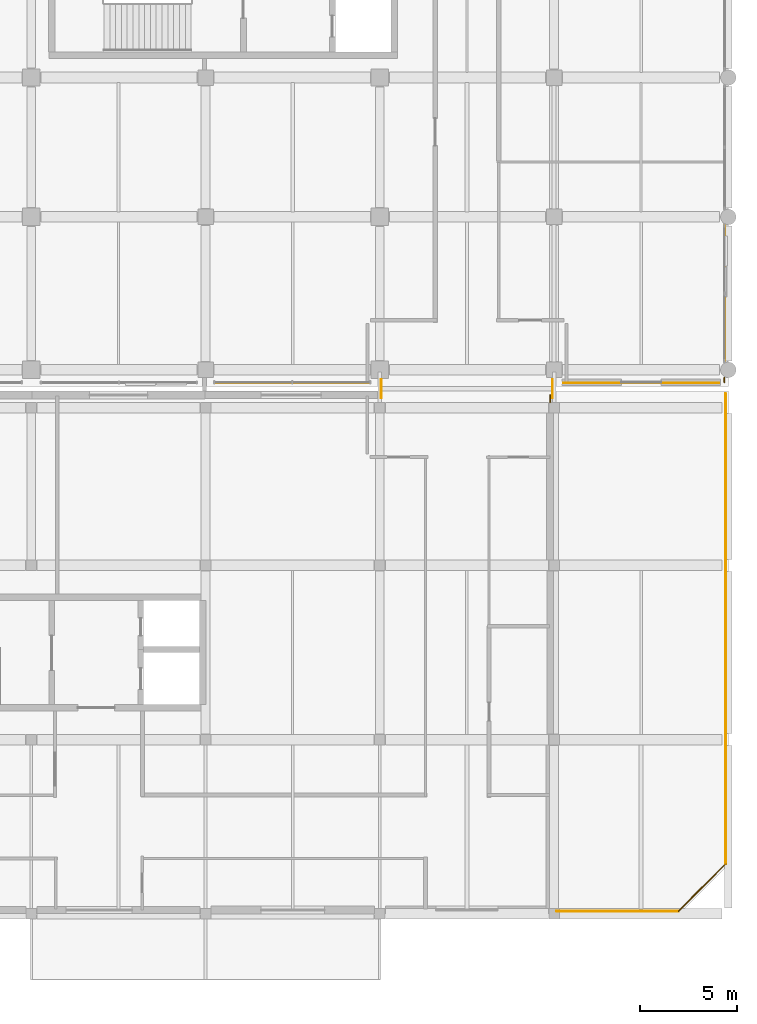
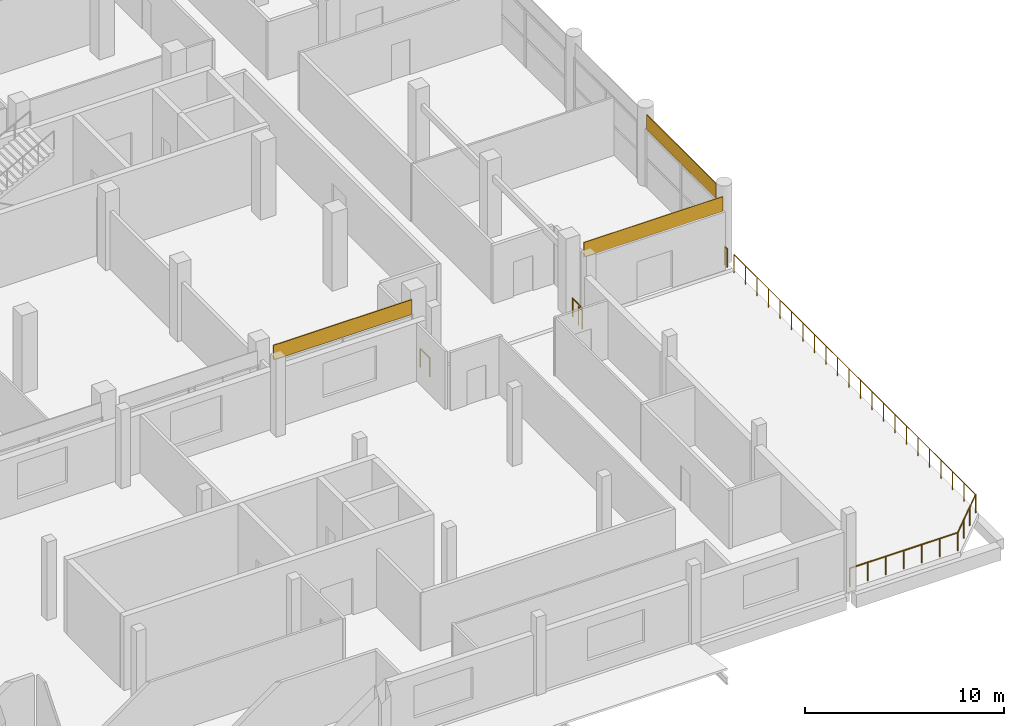
# One storey, part 102 of 111: 7 railings, 3 coverings.
"""IFC4 building model written with IfcOpenShell, lengths in metres."""

from ifc_helpers import new_model, si_unit, direction, frame, origin, origin_2d, place, context, subcontext, project, spatial, rectangle, circle, extrude, material, layer, layer_set, type_object, element, save


model = new_model("IFC4")

# Units and contexts
model_context = context("Model", 3, precision=1e-05, world=origin(), true_north=direction((0.0, 1.0)))
body_context = subcontext(model_context, "Body", "Model", "MODEL_VIEW")
ifc_project = project(units=[si_unit("LENGTHUNIT", "METRE"), si_unit("AREAUNIT", "SQUARE_METRE"), si_unit("VOLUMEUNIT", "CUBIC_METRE"), si_unit("PLANEANGLEUNIT", "RADIAN"), si_unit("MASSUNIT", "GRAM", prefix="KILO"), si_unit("THERMODYNAMICTEMPERATUREUNIT", "KELVIN"), si_unit("POWERUNIT", "WATT")], contexts=[model_context])

# Site, building, storey
site_placement = place(None, origin())
site = spatial("IfcSite", under=ifc_project, at=site_placement, CompositionType="ELEMENT")
building_placement = place(site_placement, origin())
building = spatial("IfcBuilding", under=site, at=building_placement, Name="Sindhuravela Promenade Stadium", CompositionType="ELEMENT")
storey_placement = place(building_placement, frame((0.0, 0.0, 9.60009765625)))
storey = spatial("IfcBuildingStorey", under=building, at=storey_placement, Name="L02", CompositionType="ELEMENT", Elevation=9.60009765625)

# Coverings
ifc_material_1 = material(Name="Polychrome trencadis ceramic mosaic", Category="masonry")
ifc_layer_1 = layer(ifc_material_1, 0.034912109375)
ifc_layer_set_1 = layer_set([ifc_layer_1], Name="Polychrome trencadis ceramic mosaic")
covering_type_1 = type_object("IfcCoveringType", Name="CV-TRENC-1", PredefinedType="CLADDING", material=ifc_layer_set_1)
covering_1_placement = place(storey_placement, frame((211.5, 36.429931640625, 3.5546875), z_axis=(0.0, 0.0, 1.0), x_axis=(-1.0, 0.0, 0.0)))
element("IfcCovering", 1, at=covering_1_placement, inside=storey, type_object=covering_type_1, Name="Trencadis ceramic mosaic spandrel frieze EAST L02-196", PredefinedType="CLADDING", context=body_context, shape_type="SweptSolid", body=[
    extrude(rectangle(XDim=8.070068359375, YDim=0.034912109375, at=origin_2d()), origin(), (0.0, 0.0, 1.0), 0.905029296875),
])
ifc_layer_2 = layer(ifc_material_1, 0.050048828125)
ifc_layer_set_2 = layer_set([ifc_layer_2], Name="Polychrome trencadis ceramic mosaic")
covering_type_2 = type_object("IfcCoveringType", Name="CV-TRENC-2", PredefinedType="CLADDING", material=ifc_layer_set_2)
covering_2_placement = place(storey_placement, frame((215.820068359375, 41.050048828125, 3.5546875), z_axis=(0.0, 0.0, 1.0), x_axis=(0.0, -1.0, 0.0)))
element("IfcCovering", 2, at=covering_2_placement, inside=storey, type_object=covering_type_2, Name="Trencadis ceramic mosaic spandrel frieze EAST L02-195", PredefinedType="CLADDING", context=body_context, shape_type="SweptSolid", body=[
    extrude(rectangle(XDim=6.969970703125, YDim=0.050048828125, at=origin_2d()), origin(), (0.0, 0.0, 1.0), 0.905029296875),
])
covering_3_placement = place(storey_placement, frame((193.47509765625, 36.429931640625, 3.5546875), z_axis=(0.0, 0.0, 1.0), x_axis=(-1.0, 0.0, 0.0)))
element("IfcCovering", 3, at=covering_3_placement, inside=storey, type_object=covering_type_2, Name="Trencadis ceramic mosaic spandrel frieze EAST L02-197", PredefinedType="CLADDING", context=body_context, shape_type="SweptSolid", body=[
    extrude(rectangle(XDim=8.02001953125, YDim=0.050048828125, at=origin_2d()), origin(), (0.0, 0.0, 1.0), 0.905029296875),
])

# Railings
ifc_material_2 = material(Name="Architectural wrought steel E350", Category="steel")
railing_type_1 = type_object("IfcRailingType", Name="RL-BAL-1150", PredefinedType="BALUSTRADE", material=ifc_material_2)
railing_1_placement = place(storey_placement, frame((215.860107421875, 35.860107421875, 0.0)))
element("IfcRailing", 4, at=railing_1_placement, inside=storey, type_object=railing_type_1, Name="Terrace wrought balustrade BL01-4", PredefinedType="BALUSTRADE", context=body_context, shape_type="SweptSolid", body=[
    extrude(circle(Radius=0.02392578125, at=origin_2d()), frame((0.0, 0.0, 1.1259765625), z_axis=(0.0, -1.0, 0.0), x_axis=(1.0, 0.0, 0.0)), (0.0, 0.0, 1.0), 24.2822265625),
    extrude(circle(Radius=0.02099609375, at=origin_2d()), origin(), (0.0, 0.0, 1.0), 1.101806640625),
    extrude(circle(Radius=0.02099609375, at=origin_2d()), frame((0.0, -1.15625, 0.0)), (0.0, 0.0, 1.0), 1.101806640625),
    extrude(circle(Radius=0.02099609375, at=origin_2d()), frame((0.0, -2.3125, 0.0)), (0.0, 0.0, 1.0), 1.101806640625),
    extrude(circle(Radius=0.02099609375, at=origin_2d()), frame((0.0, -3.468994140625, 0.0)), (0.0, 0.0, 1.0), 1.101806640625),
    extrude(circle(Radius=0.02099609375, at=origin_2d()), frame((0.0, -4.625244140625, 0.0)), (0.0, 0.0, 1.0), 1.101806640625),
    extrude(circle(Radius=0.02099609375, at=origin_2d()), frame((0.0, -5.781494140625, 0.0)), (0.0, 0.0, 1.0), 1.101806640625),
    extrude(circle(Radius=0.02099609375, at=origin_2d()), frame((0.0, -6.937744140625, 0.0)), (0.0, 0.0, 1.0), 1.101806640625),
    extrude(circle(Radius=0.02099609375, at=origin_2d()), frame((0.0, -8.093994140625, 0.0)), (0.0, 0.0, 1.0), 1.101806640625),
    extrude(circle(Radius=0.02099609375, at=origin_2d()), frame((0.0, -9.25048828125, 0.0)), (0.0, 0.0, 1.0), 1.101806640625),
    extrude(circle(Radius=0.02099609375, at=origin_2d()), frame((0.0, -10.40673828125, 0.0)), (0.0, 0.0, 1.0), 1.101806640625),
    extrude(circle(Radius=0.02099609375, at=origin_2d()), frame((0.0, -11.56298828125, 0.0)), (0.0, 0.0, 1.0), 1.101806640625),
    extrude(circle(Radius=0.02099609375, at=origin_2d()), frame((0.0, -12.71923828125, 0.0)), (0.0, 0.0, 1.0), 1.101806640625),
    extrude(circle(Radius=0.02099609375, at=origin_2d()), frame((0.0, -13.87548828125, 0.0)), (0.0, 0.0, 1.0), 1.101806640625),
    extrude(circle(Radius=0.02099609375, at=origin_2d()), frame((0.0, -15.03173828125, 0.0)), (0.0, 0.0, 1.0), 1.101806640625),
    extrude(circle(Radius=0.02099609375, at=origin_2d()), frame((0.0, -16.188232421875, 0.0)), (0.0, 0.0, 1.0), 1.101806640625),
    extrude(circle(Radius=0.02099609375, at=origin_2d()), frame((0.0, -17.344482421875, 0.0)), (0.0, 0.0, 1.0), 1.101806640625),
    extrude(circle(Radius=0.02099609375, at=origin_2d()), frame((0.0, -18.500732421875, 0.0)), (0.0, 0.0, 1.0), 1.101806640625),
    extrude(circle(Radius=0.02099609375, at=origin_2d()), frame((0.0, -19.656982421875, 0.0)), (0.0, 0.0, 1.0), 1.101806640625),
    extrude(circle(Radius=0.02099609375, at=origin_2d()), frame((0.0, -20.813232421875, 0.0)), (0.0, 0.0, 1.0), 1.101806640625),
    extrude(circle(Radius=0.02099609375, at=origin_2d()), frame((0.0, -21.9697265625, 0.0)), (0.0, 0.0, 1.0), 1.101806640625),
    extrude(circle(Radius=0.02099609375, at=origin_2d()), frame((0.0, -23.1259765625, 0.0)), (0.0, 0.0, 1.0), 1.101806640625),
    extrude(circle(Radius=0.02099609375, at=origin_2d()), frame((0.0, -24.2822265625, 0.0)), (0.0, 0.0, 1.0), 1.101806640625),
])
railing_2_placement = place(storey_placement, frame((215.860107421875, 11.577880859375, 0.0)))
element("IfcRailing", 5, at=railing_2_placement, inside=storey, type_object=railing_type_1, Name="Terrace wrought balustrade BL01-5", PredefinedType="BALUSTRADE", context=body_context, shape_type="SweptSolid", body=[
    extrude(circle(Radius=0.02392578125, at=origin_2d()), frame((0.0, 0.0, 1.1259765625), z_axis=(-0.7071067811865476, -0.7071067811865476, 0.0), x_axis=(0.7071067811865476, -0.7071067811865476, 0.0)), (0.0, 0.0, 1.0), 3.44775390625),
    extrude(circle(Radius=0.02099609375, at=origin_2d()), origin(), (0.0, 0.0, 1.0), 1.101806640625),
    extrude(circle(Radius=0.02099609375, at=origin_2d()), frame((-0.812744140625, -0.812744140625, 0.0)), (0.0, 0.0, 1.0), 1.101806640625),
    extrude(circle(Radius=0.02099609375, at=origin_2d()), frame((-1.625244140625, -1.625244140625, 0.0)), (0.0, 0.0, 1.0), 1.101806640625),
    extrude(circle(Radius=0.02099609375, at=origin_2d()), frame((-2.43798828125, -2.43798828125, 0.0)), (0.0, 0.0, 1.0), 1.101806640625),
])
railing_3_placement = place(storey_placement, frame((213.422119140625, 9.139892578125, 0.0)))
element("IfcRailing", 6, at=railing_3_placement, inside=storey, type_object=railing_type_1, Name="Terrace wrought balustrade BL01-6", PredefinedType="BALUSTRADE", context=body_context, shape_type="SweptSolid", body=[
    extrude(circle(Radius=0.02392578125, at=origin_2d()), frame((0.0, 0.0, 1.1259765625), z_axis=(-1.0, 0.0, 0.0), x_axis=(0.0, -1.0, 0.0)), (0.0, 0.0, 1.0), 6.2822265625),
    extrude(circle(Radius=0.02099609375, at=origin_2d()), origin(), (0.0, 0.0, 1.0), 1.101806640625),
    extrude(circle(Radius=0.02099609375, at=origin_2d()), frame((-1.047119140625, 0.0, 0.0)), (0.0, 0.0, 1.0), 1.101806640625),
    extrude(circle(Radius=0.02099609375, at=origin_2d()), frame((-2.093994140625, 0.0, 0.0)), (0.0, 0.0, 1.0), 1.101806640625),
    extrude(circle(Radius=0.02099609375, at=origin_2d()), frame((-3.14111328125, 0.0, 0.0)), (0.0, 0.0, 1.0), 1.101806640625),
    extrude(circle(Radius=0.02099609375, at=origin_2d()), frame((-4.188232421875, 0.0, 0.0)), (0.0, 0.0, 1.0), 1.101806640625),
    extrude(circle(Radius=0.02099609375, at=origin_2d()), frame((-5.235107421875, 0.0, 0.0)), (0.0, 0.0, 1.0), 1.101806640625),
    extrude(circle(Radius=0.02099609375, at=origin_2d()), frame((-6.2822265625, 0.0, 0.0)), (0.0, 0.0, 1.0), 1.101806640625),
])
railing_type_2 = type_object("IfcRailingType", Name="RL-GRD-1150", PredefinedType="GUARDRAIL", material=ifc_material_2)
railing_4_placement = place(storey_placement, frame((215.800048828125, 36.695068359375, 0.0)))
element("IfcRailing", 7, at=railing_4_placement, inside=storey, type_object=railing_type_2, Name="Perimeter edge return guard EAST L02", PredefinedType="GUARDRAIL", context=body_context, shape_type="SweptSolid", body=[
    extrude(circle(Radius=0.02392578125, at=origin_2d()), frame((0.0, 0.0, 1.1259765625), z_axis=(0.0, -1.0, 0.0), x_axis=(1.0, 0.0, 0.0)), (0.0, 0.0, 1.0), 0.2451171875),
    extrude(circle(Radius=0.02099609375, at=origin_2d()), origin(), (0.0, 0.0, 1.0), 1.101806640625),
    extrude(circle(Radius=0.02099609375, at=origin_2d()), frame((0.0, -0.2451171875, 0.0)), (0.0, 0.0, 1.0), 1.101806640625),
])
railing_5_placement = place(storey_placement, frame((206.800048828125, 35.800048828125, 0.0)))
element("IfcRailing", 8, at=railing_5_placement, inside=storey, type_object=railing_type_2, Name="Perimeter edge return guard Pavilion SE L02", PredefinedType="GUARDRAIL", context=body_context, shape_type="SweptSolid", body=[
    extrude(circle(Radius=0.02392578125, at=origin_2d()), frame((0.0, 0.0, 1.1259765625), z_axis=(0.0, -1.0, 0.0), x_axis=(1.0, 0.0, 0.0)), (0.0, 0.0, 1.0), 0.3701171875),
    extrude(circle(Radius=0.02099609375, at=origin_2d()), origin(), (0.0, 0.0, 1.0), 1.101806640625),
    extrude(circle(Radius=0.02099609375, at=origin_2d()), frame((0.0, -0.3701171875, 0.0)), (0.0, 0.0, 1.0), 1.101806640625),
])
for number, where, name in (
    (9, (198.080078125, 35.64990234375, 0.0), "Bridge edge guardrail GR01-77"),
    (10, (206.919921875, 35.64990234375, 0.0), "Bridge edge guardrail GR01-78"),
):
    element("IfcRailing", number, at=place(storey_placement, frame(where)), inside=storey, type_object=railing_type_2, Name=name, PredefinedType="GUARDRAIL", context=body_context, shape_type="SweptSolid", body=[
        extrude(circle(Radius=0.02392578125, at=origin_2d()), frame((0.0, 0.0, 1.1259765625), z_axis=(0.0, 1.0, 0.0), x_axis=(-1.0, 0.0, 0.0)), (0.0, 0.0, 1.0), 0.9501953125),
        extrude(circle(Radius=0.02099609375, at=origin_2d()), origin(), (0.0, 0.0, 1.0), 1.101806640625),
        extrude(circle(Radius=0.02099609375, at=origin_2d()), frame((0.0, 0.9501953125, 0.0)), (0.0, 0.0, 1.0), 1.101806640625),
    ])

save(model, "model.ifc")
